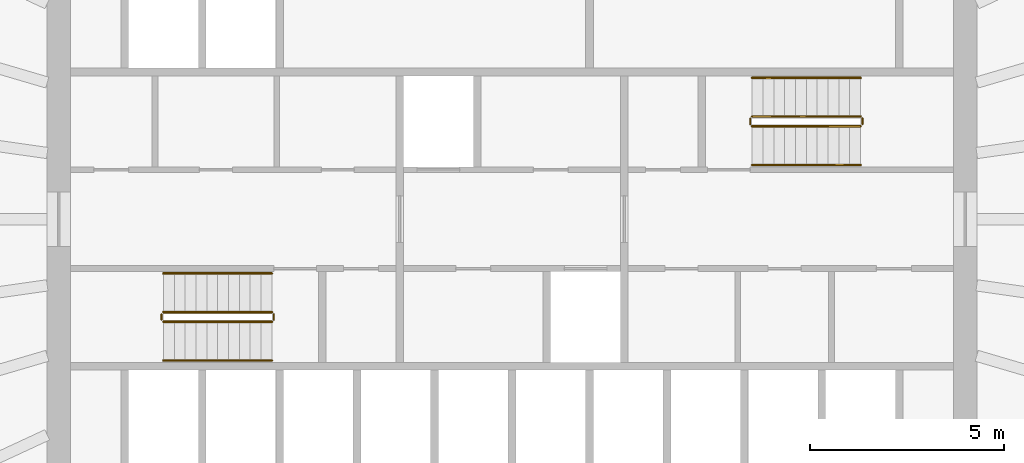
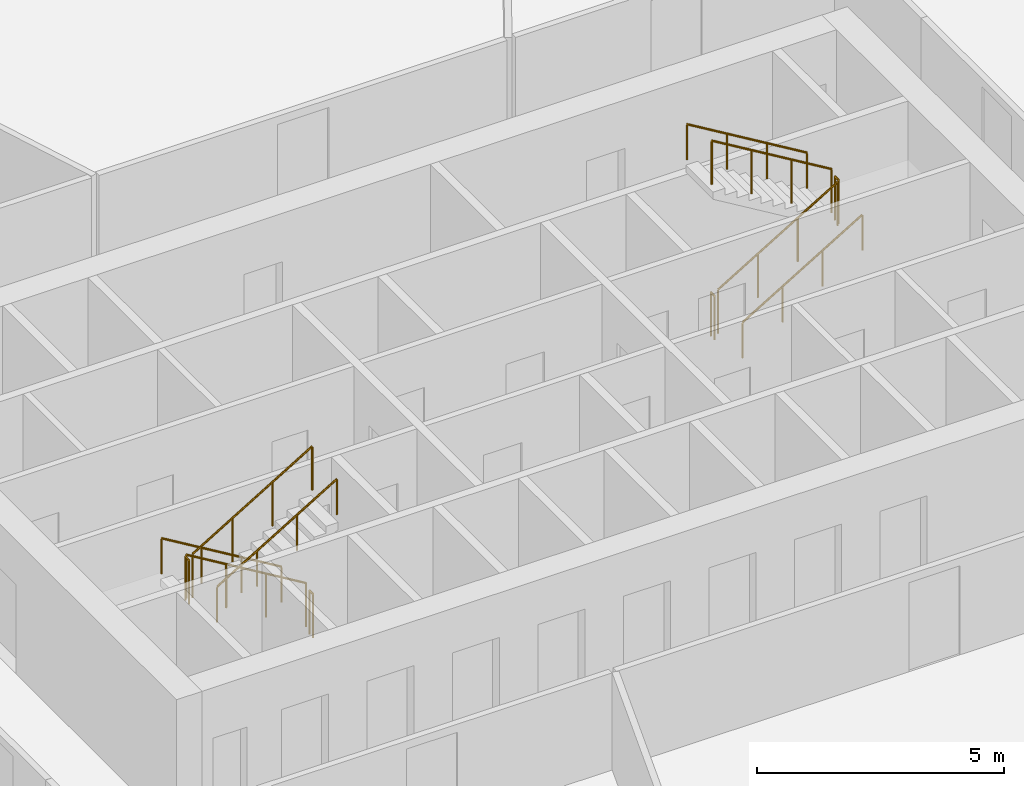
# One storey, part 11 of 11: 12 railings.
"""IFC4 building model written with IfcOpenShell, lengths in metres."""

from ifc_helpers import new_model, si_unit, direction, frame, origin, origin_2d, place, context, subcontext, project, spatial, circle, extrude, material, type_object, element, save


model = new_model("IFC4")

# Units and contexts
model_context = context("Model", 3, precision=1e-05, world=origin(), true_north=direction((0.0, 1.0)))
body_context = subcontext(model_context, "Body", "Model", "MODEL_VIEW")
ifc_project = project(units=[si_unit("LENGTHUNIT", "METRE"), si_unit("AREAUNIT", "SQUARE_METRE"), si_unit("VOLUMEUNIT", "CUBIC_METRE"), si_unit("PLANEANGLEUNIT", "RADIAN"), si_unit("MASSUNIT", "GRAM", prefix="KILO")], contexts=[model_context])

# Site, building, storey
site_placement = place(None, origin())
site = spatial("IfcSite", under=ifc_project, at=site_placement, CompositionType="ELEMENT")
building_placement = place(site_placement, origin())
building = spatial("IfcBuilding", under=site, at=building_placement, Name="Siaravel Broadcast Tower", CompositionType="ELEMENT")
storey_placement = place(building_placement, frame((0.0, 0.0, 44.5)))
storey = spatial("IfcBuildingStorey", under=building, at=storey_placement, Name="L09", CompositionType="ELEMENT", Elevation=44.5)

# Railings
ifc_material = material(Name="Stainless steel 316L", Category="steel")
railing_type_1 = type_object("IfcRailingType", Name="Stair guard 1100", PredefinedType="GUARDRAIL", material=ifc_material)
railing_1_placement = place(storey_placement, frame((-6.199951171875, -2.39990234375, 0.168212890625)))
element("IfcRailing", 1, at=railing_1_placement, inside=storey, type_object=railing_type_1, Name="L09 ST-1 stair guard 1", PredefinedType="GUARDRAIL", context=body_context, shape_type="SweptSolid", body=[
    extrude(circle(Radius=0.02392578125, at=origin_2d()), frame((0.0, 0.0, 1.076171875), z_axis=(-0.857242211, 0.0, 0.514913383), x_axis=(0.0, -1.0, 0.0)), (0.0, 0.0, 1.0), 3.266357421875),
    extrude(circle(Radius=0.02099609375, at=origin_2d()), origin(), (0.0, 0.0, 1.0), 1.052001953125),
    extrude(circle(Radius=0.02099609375, at=origin_2d()), frame((-0.933349609375, 0.0, 0.560546875)), (0.0, 0.0, 1.0), 1.052001953125),
    extrude(circle(Radius=0.02099609375, at=origin_2d()), frame((-1.86669921875, 0.0, 1.121337890625)), (0.0, 0.0, 1.0), 1.052001953125),
    extrude(circle(Radius=0.02099609375, at=origin_2d()), frame((-2.800048828125, 0.0, 1.681884765625)), (0.0, 0.0, 1.0), 1.052001953125),
])
railing_2_placement = place(storey_placement, frame((-9.050048828125, -2.449951171875, 1.85009765625)))
element("IfcRailing", 2, at=railing_2_placement, inside=storey, type_object=railing_type_1, Name="L09 ST-1 stair guard 2", PredefinedType="GUARDRAIL", context=body_context, shape_type="SweptSolid", body=[
    extrude(circle(Radius=0.02392578125, at=origin_2d()), frame((0.0, 0.0, 1.076171875), z_axis=(0.0, -1.0, 0.0), x_axis=(1.0, 0.0, 0.0)), (0.0, 0.0, 1.0), 0.150146484375),
    extrude(circle(Radius=0.02099609375, at=origin_2d()), origin(), (0.0, 0.0, 1.0), 1.052001953125),
    extrude(circle(Radius=0.02099609375, at=origin_2d()), frame((0.0, -0.150146484375, 0.0)), (0.0, 0.0, 1.0), 1.052001953125),
])
railing_3_placement = place(storey_placement, frame((-9.0, -2.64990234375, 2.01806640625)))
element("IfcRailing", 3, at=railing_3_placement, inside=storey, type_object=railing_type_1, Name="L09 ST-1 stair guard 3", PredefinedType="GUARDRAIL", context=body_context, shape_type="SweptSolid", body=[
    extrude(circle(Radius=0.02392578125, at=origin_2d()), frame((0.0, 0.0, 1.076171875), z_axis=(0.857242211, 0.0, 0.514913383), x_axis=(0.0, 1.0, 0.0)), (0.0, 0.0, 1.0), 3.266357421875),
    extrude(circle(Radius=0.02099609375, at=origin_2d()), origin(), (0.0, 0.0, 1.0), 1.052001953125),
    extrude(circle(Radius=0.02099609375, at=origin_2d()), frame((0.933349609375, 0.0, 0.560546875)), (0.0, 0.0, 1.0), 1.052001953125),
    extrude(circle(Radius=0.02099609375, at=origin_2d()), frame((1.86669921875, 0.0, 1.121337890625)), (0.0, 0.0, 1.0), 1.052001953125),
    extrude(circle(Radius=0.02099609375, at=origin_2d()), frame((2.800048828125, 0.0, 1.681884765625)), (0.0, 0.0, 1.0), 1.052001953125),
])
railing_4_placement = place(storey_placement, frame((-6.14990234375, -2.449951171875, 0.0)))
element("IfcRailing", 4, at=railing_4_placement, inside=storey, type_object=railing_type_1, Name="L09 ST-1 stair guard 4", PredefinedType="GUARDRAIL", context=body_context, shape_type="SweptSolid", body=[
    extrude(circle(Radius=0.02392578125, at=origin_2d()), frame((0.0, 0.0, 1.076171875), z_axis=(0.0, -1.0, 0.0), x_axis=(1.0, 0.0, 0.0)), (0.0, 0.0, 1.0), 0.150146484375),
    extrude(circle(Radius=0.02099609375, at=origin_2d()), origin(), (0.0, 0.0, 1.0), 1.052001953125),
    extrude(circle(Radius=0.02099609375, at=origin_2d()), frame((0.0, -0.150146484375, 0.0)), (0.0, 0.0, 1.0), 1.052001953125),
])
railing_5_placement = place(storey_placement, frame((6.199951171875, 2.39990234375, 0.168212890625)))
element("IfcRailing", 5, at=railing_5_placement, inside=storey, type_object=railing_type_1, Name="L09 ST-2 stair guard 1", PredefinedType="GUARDRAIL", context=body_context, shape_type="SweptSolid", body=[
    extrude(circle(Radius=0.02392578125, at=origin_2d()), frame((0.0, 0.0, 1.076171875), z_axis=(0.857242211, 0.0, 0.514913383), x_axis=(0.0, 1.0, 0.0)), (0.0, 0.0, 1.0), 3.266357421875),
    extrude(circle(Radius=0.02099609375, at=origin_2d()), origin(), (0.0, 0.0, 1.0), 1.052001953125),
    extrude(circle(Radius=0.02099609375, at=origin_2d()), frame((0.933349609375, 0.0, 0.560546875)), (0.0, 0.0, 1.0), 1.052001953125),
    extrude(circle(Radius=0.02099609375, at=origin_2d()), frame((1.86669921875, 0.0, 1.121337890625)), (0.0, 0.0, 1.0), 1.052001953125),
    extrude(circle(Radius=0.02099609375, at=origin_2d()), frame((2.800048828125, 0.0, 1.681884765625)), (0.0, 0.0, 1.0), 1.052001953125),
])
railing_6_placement = place(storey_placement, frame((9.050048828125, 2.449951171875, 1.85009765625)))
element("IfcRailing", 6, at=railing_6_placement, inside=storey, type_object=railing_type_1, Name="L09 ST-2 stair guard 2", PredefinedType="GUARDRAIL", context=body_context, shape_type="SweptSolid", body=[
    extrude(circle(Radius=0.02392578125, at=origin_2d()), frame((0.0, 0.0, 1.076171875), z_axis=(0.0, 1.0, 0.0), x_axis=(-1.0, 0.0, 0.0)), (0.0, 0.0, 1.0), 0.150146484375),
    extrude(circle(Radius=0.02099609375, at=origin_2d()), origin(), (0.0, 0.0, 1.0), 1.052001953125),
    extrude(circle(Radius=0.02099609375, at=origin_2d()), frame((0.0, 0.150146484375, 0.0)), (0.0, 0.0, 1.0), 1.052001953125),
])
railing_7_placement = place(storey_placement, frame((9.0, 2.64990234375, 2.01806640625)))
element("IfcRailing", 7, at=railing_7_placement, inside=storey, type_object=railing_type_1, Name="L09 ST-2 stair guard 3", PredefinedType="GUARDRAIL", context=body_context, shape_type="SweptSolid", body=[
    extrude(circle(Radius=0.02392578125, at=origin_2d()), frame((0.0, 0.0, 1.076171875), z_axis=(-0.857242211, 0.0, 0.514913383), x_axis=(0.0, -1.0, 0.0)), (0.0, 0.0, 1.0), 3.266357421875),
    extrude(circle(Radius=0.02099609375, at=origin_2d()), origin(), (0.0, 0.0, 1.0), 1.052001953125),
    extrude(circle(Radius=0.02099609375, at=origin_2d()), frame((-0.933349609375, 0.0, 0.560546875)), (0.0, 0.0, 1.0), 1.052001953125),
    extrude(circle(Radius=0.02099609375, at=origin_2d()), frame((-1.86669921875, 0.0, 1.121337890625)), (0.0, 0.0, 1.0), 1.052001953125),
    extrude(circle(Radius=0.02099609375, at=origin_2d()), frame((-2.800048828125, 0.0, 1.681884765625)), (0.0, 0.0, 1.0), 1.052001953125),
])
railing_8_placement = place(storey_placement, frame((6.14990234375, 2.449951171875, 0.0)))
element("IfcRailing", 8, at=railing_8_placement, inside=storey, type_object=railing_type_1, Name="L09 ST-2 stair guard 4", PredefinedType="GUARDRAIL", context=body_context, shape_type="SweptSolid", body=[
    extrude(circle(Radius=0.02392578125, at=origin_2d()), frame((0.0, 0.0, 1.076171875), z_axis=(0.0, 1.0, 0.0), x_axis=(-1.0, 0.0, 0.0)), (0.0, 0.0, 1.0), 0.150146484375),
    extrude(circle(Radius=0.02099609375, at=origin_2d()), origin(), (0.0, 0.0, 1.0), 1.052001953125),
    extrude(circle(Radius=0.02099609375, at=origin_2d()), frame((0.0, 0.150146484375, 0.0)), (0.0, 0.0, 1.0), 1.052001953125),
])
railing_type_2 = type_object("IfcRailingType", Name="Stair handrail 900", PredefinedType="HANDRAIL", material=ifc_material)
railing_9_placement = place(storey_placement, frame((-6.199951171875, -1.39990234375, 0.168212890625)))
element("IfcRailing", 9, at=railing_9_placement, inside=storey, type_object=railing_type_2, Name="L09 ST-1 stair handrail 1", PredefinedType="HANDRAIL", context=body_context, shape_type="SweptSolid", body=[
    extrude(circle(Radius=0.02392578125, at=origin_2d()), frame((0.0, 0.0, 0.8759765625), z_axis=(-0.857242211, 0.0, 0.514913383), x_axis=(0.0, -1.0, 0.0)), (0.0, 0.0, 1.0), 3.266357421875),
    extrude(circle(Radius=0.02099609375, at=origin_2d()), origin(), (0.0, 0.0, 1.0), 0.851806640625),
    extrude(circle(Radius=0.02099609375, at=origin_2d()), frame((-0.933349609375, 0.0, 0.560546875)), (0.0, 0.0, 1.0), 0.851806640625),
    extrude(circle(Radius=0.02099609375, at=origin_2d()), frame((-1.86669921875, 0.0, 1.121337890625)), (0.0, 0.0, 1.0), 0.851806640625),
    extrude(circle(Radius=0.02099609375, at=origin_2d()), frame((-2.800048828125, 0.0, 1.681884765625)), (0.0, 0.0, 1.0), 0.851806640625),
])
for number, where, name in (
    (10, (-9.0, -3.64990234375, 2.01806640625), "L09 ST-1 stair handrail 2"),
    (11, (6.199951171875, 1.39990234375, 0.168212890625), "L09 ST-2 stair handrail 1"),
):
    element("IfcRailing", number, at=place(storey_placement, frame(where)), inside=storey, type_object=railing_type_2, Name=name, PredefinedType="HANDRAIL", context=body_context, shape_type="SweptSolid", body=[
        extrude(circle(Radius=0.02392578125, at=origin_2d()), frame((0.0, 0.0, 0.8759765625), z_axis=(0.857242211, 0.0, 0.514913383), x_axis=(0.0, 1.0, 0.0)), (0.0, 0.0, 1.0), 3.266357421875),
        extrude(circle(Radius=0.02099609375, at=origin_2d()), origin(), (0.0, 0.0, 1.0), 0.851806640625),
        extrude(circle(Radius=0.02099609375, at=origin_2d()), frame((0.933349609375, 0.0, 0.560546875)), (0.0, 0.0, 1.0), 0.851806640625),
        extrude(circle(Radius=0.02099609375, at=origin_2d()), frame((1.86669921875, 0.0, 1.121337890625)), (0.0, 0.0, 1.0), 0.851806640625),
        extrude(circle(Radius=0.02099609375, at=origin_2d()), frame((2.800048828125, 0.0, 1.681884765625)), (0.0, 0.0, 1.0), 0.851806640625),
    ])
railing_10_placement = place(storey_placement, frame((9.0, 3.64990234375, 2.01806640625)))
element("IfcRailing", 12, at=railing_10_placement, inside=storey, type_object=railing_type_2, Name="L09 ST-2 stair handrail 2", PredefinedType="HANDRAIL", context=body_context, shape_type="SweptSolid", body=[
    extrude(circle(Radius=0.02392578125, at=origin_2d()), frame((0.0, 0.0, 0.8759765625), z_axis=(-0.857242211, 0.0, 0.514913383), x_axis=(0.0, -1.0, 0.0)), (0.0, 0.0, 1.0), 3.266357421875),
    extrude(circle(Radius=0.02099609375, at=origin_2d()), origin(), (0.0, 0.0, 1.0), 0.851806640625),
    extrude(circle(Radius=0.02099609375, at=origin_2d()), frame((-0.933349609375, 0.0, 0.560546875)), (0.0, 0.0, 1.0), 0.851806640625),
    extrude(circle(Radius=0.02099609375, at=origin_2d()), frame((-1.86669921875, 0.0, 1.121337890625)), (0.0, 0.0, 1.0), 0.851806640625),
    extrude(circle(Radius=0.02099609375, at=origin_2d()), frame((-2.800048828125, 0.0, 1.681884765625)), (0.0, 0.0, 1.0), 0.851806640625),
])

save(model, "model.ifc")
